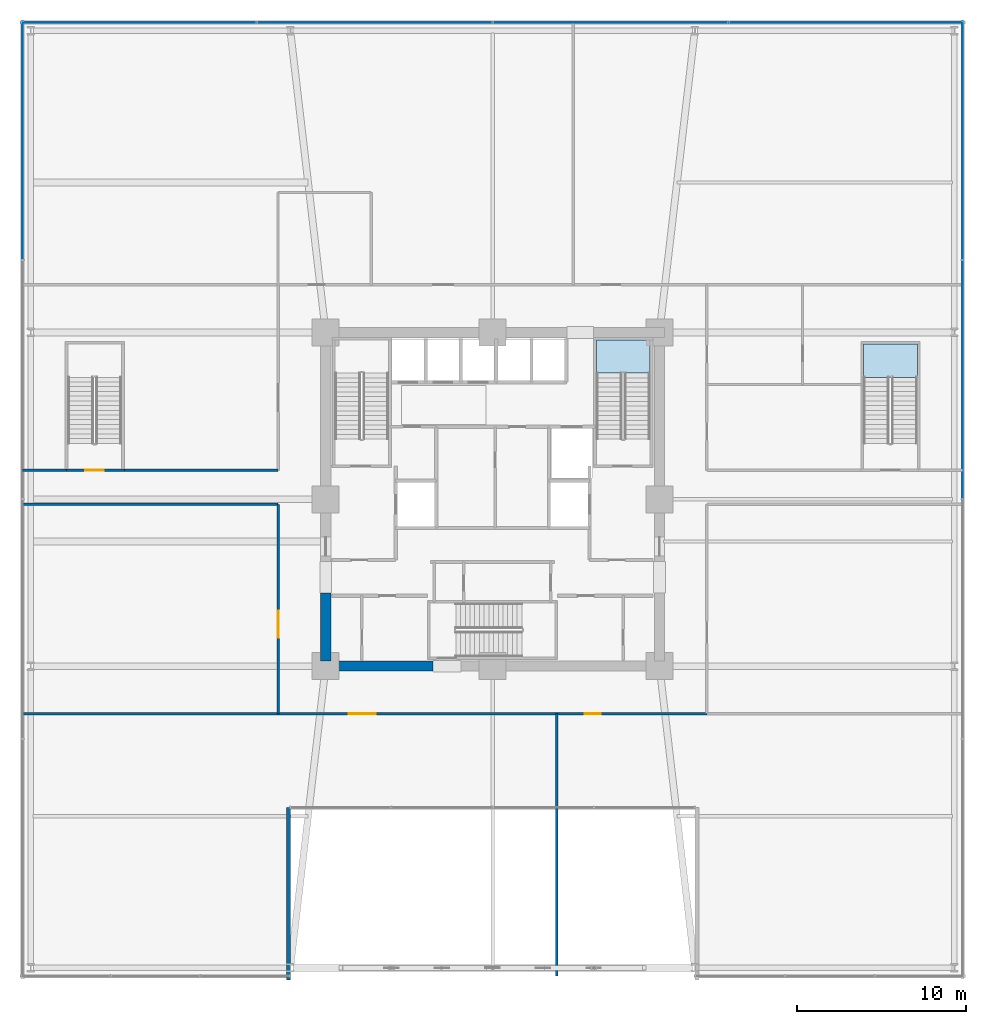
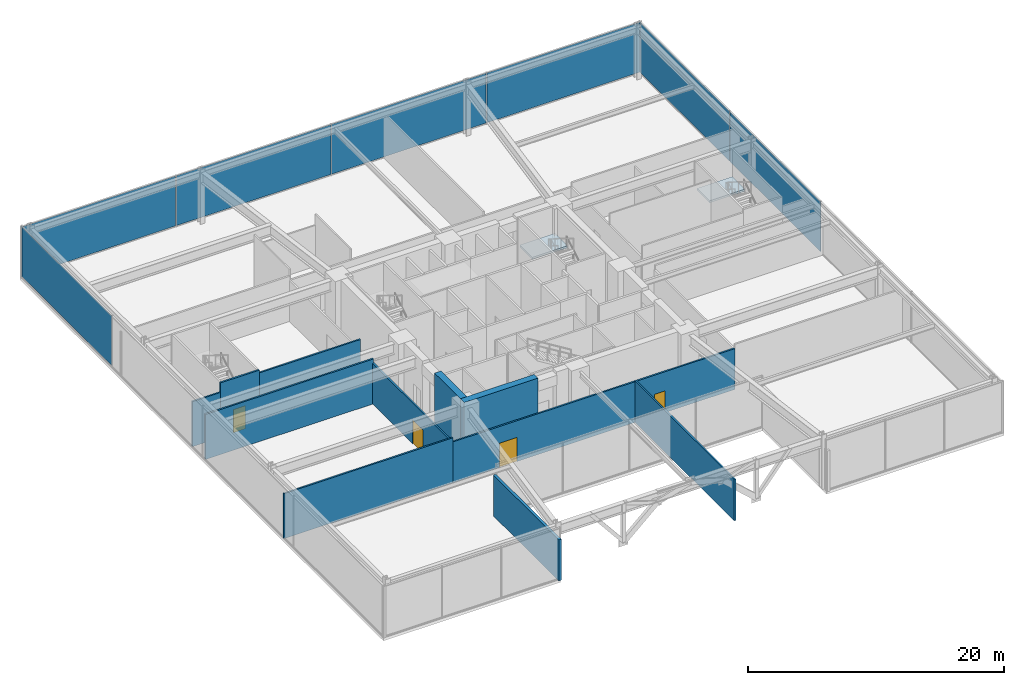
# One storey, part 42 of 49: 11 walls, 7 plates, 4 doors, 2 slabs, 4 openings, 5 elements without a shape of their own.
"""IFC4 building model written with IfcOpenShell, lengths in metres."""

from ifc_helpers import new_model, si_unit, direction, frame, frame_2d, origin, origin_2d, place, context, subcontext, project, spatial, polyline, rectangle, outline, extrude, material, layer, layer_set, type_object, element, fill, aggregate, save


model = new_model("IFC4")

# Units and contexts
model_context = context("Model", 3, precision=1e-05, world=origin(), true_north=direction((0.0, 1.0)))
body_context = subcontext(model_context, "Body", "Model", "MODEL_VIEW")
ifc_project = project(units=[si_unit("LENGTHUNIT", "METRE"), si_unit("AREAUNIT", "SQUARE_METRE"), si_unit("VOLUMEUNIT", "CUBIC_METRE"), si_unit("PLANEANGLEUNIT", "RADIAN"), si_unit("MASSUNIT", "GRAM", prefix="KILO")], contexts=[model_context])

# Site, building, storey
site_placement = place(None, origin())
site = spatial("IfcSite", under=ifc_project, at=site_placement, CompositionType="ELEMENT")
building_placement = place(site_placement, origin())
building = spatial("IfcBuilding", under=site, at=building_placement, Name="Kolvaren Belvedere", CompositionType="ELEMENT")
storey_placement = place(building_placement, frame((0.0, 0.0, 10.0)))
storey = spatial("IfcBuildingStorey", under=building, at=storey_placement, Name="L03", CompositionType="ELEMENT", Elevation=10.0)

# Curtain wall, plates
ifc_material_1 = material(Name="Anodised pale-metal aluminium AA 6063-T6", Category="aluminium")
curtain_wall_type = type_object("IfcCurtainWallType", Name="CW-POD-A", PredefinedType="NOTDEFINED", material=ifc_material_1)
curtain_wall_1_placement = place(storey_placement, origin())
curtain_wall_1 = element("IfcCurtainWall", 1, at=curtain_wall_1_placement, inside=storey, type_object=curtain_wall_type, Name="L03 Unitised Curtain Wall FCW-L03-SEG6", PredefinedType="NOTDEFINED")
ifc_material_2 = material(Name="Low-iron laminated vision glass", Category="glass")
ifc_layer_1 = layer(ifc_material_2, 0.031982421875)
ifc_layer_set_1 = layer_set([ifc_layer_1], Name="Low-iron laminated vision glass")
plate_type = type_object("IfcPlateType", Name="CW-PNL-VIS32", PredefinedType="CURTAIN_PANEL", material=ifc_layer_set_1)
plate_1_placement = place(storey_placement, frame((27.8798828125, 21.300048828125, 0.080078125), z_axis=(0.0, 0.0, 1.0), x_axis=(0.0, -1.0, 0.0)))
plate_1 = element("IfcPlate", 2, at=plate_1_placement, type_object=plate_type, Name="FCW-L03-SEG6 Vision Glazing Panel 1", PredefinedType="CURTAIN_PANEL", context=body_context, shape_type="SweptSolid", body=[
    extrude(rectangle(XDim=14.1201171875, YDim=0.031982421875, at=origin_2d()), origin(), (0.0, 0.0, 1.0), 4.760009765625),
])
plate_2_placement = place(storey_placement, frame((27.8798828125, 7.10009765625, 0.080078125), z_axis=(0.0, 0.0, 1.0), x_axis=(0.0, -1.0, 0.0)))
plate_2 = element("IfcPlate", 3, at=plate_2_placement, type_object=plate_type, Name="FCW-L03-SEG6 Vision Glazing Panel 2", PredefinedType="CURTAIN_PANEL", context=body_context, shape_type="SweptSolid", body=[
    extrude(rectangle(XDim=14.1201171875, YDim=0.031982421875, at=origin_2d()), origin(), (0.0, 0.0, 1.0), 4.760009765625),
])
aggregate(curtain_wall_1, [plate_1, plate_2])

curtain_wall_2_placement = place(storey_placement, origin())
curtain_wall_2 = element("IfcCurtainWall", 4, at=curtain_wall_2_placement, inside=storey, type_object=curtain_wall_type, Name="L03 Unitised Curtain Wall FCW-L03-SEG7", PredefinedType="NOTDEFINED")
plate_3_placement = place(storey_placement, frame((-21.0, 28.280029296875, 0.080078125), z_axis=(0.0, 0.0, 1.0), x_axis=(1.0, 0.0, 0.0)))
plate_3 = element("IfcPlate", 5, at=plate_3_placement, type_object=plate_type, Name="FCW-L03-SEG7 Vision Glazing Panel 1", PredefinedType="CURTAIN_PANEL", context=body_context, shape_type="SweptSolid", body=[
    extrude(rectangle(XDim=13.919921875, YDim=0.031982421875, at=origin_2d()), origin(), (0.0, 0.0, 1.0), 4.760009765625),
])
plate_4_placement = place(storey_placement, frame((-7.0, 28.280029296875, 0.080078125), z_axis=(0.0, 0.0, 1.0), x_axis=(1.0, 0.0, 0.0)))
plate_4 = element("IfcPlate", 6, at=plate_4_placement, type_object=plate_type, Name="FCW-L03-SEG7 Vision Glazing Panel 2", PredefinedType="CURTAIN_PANEL", context=body_context, shape_type="SweptSolid", body=[
    extrude(rectangle(XDim=13.919921875, YDim=0.031982421875, at=origin_2d()), origin(), (0.0, 0.0, 1.0), 4.760009765625),
])
plate_5_placement = place(storey_placement, frame((7.0, 28.280029296875, 0.080078125), z_axis=(0.0, 0.0, 1.0), x_axis=(1.0, 0.0, 0.0)))
plate_5 = element("IfcPlate", 7, at=plate_5_placement, type_object=plate_type, Name="FCW-L03-SEG7 Vision Glazing Panel 3", PredefinedType="CURTAIN_PANEL", context=body_context, shape_type="SweptSolid", body=[
    extrude(rectangle(XDim=13.919921875, YDim=0.031982421875, at=origin_2d()), origin(), (0.0, 0.0, 1.0), 4.760009765625),
])
plate_6_placement = place(storey_placement, frame((21.0, 28.280029296875, 0.080078125), z_axis=(0.0, 0.0, 1.0), x_axis=(1.0, 0.0, 0.0)))
plate_6 = element("IfcPlate", 8, at=plate_6_placement, type_object=plate_type, Name="FCW-L03-SEG7 Vision Glazing Panel 4", PredefinedType="CURTAIN_PANEL", context=body_context, shape_type="SweptSolid", body=[
    extrude(rectangle(XDim=13.919921875, YDim=0.031982421875, at=origin_2d()), origin(), (0.0, 0.0, 1.0), 4.760009765625),
])
aggregate(curtain_wall_2, [plate_3, plate_4, plate_5, plate_6])

# Curtain wall, plate
curtain_wall_3_placement = place(storey_placement, origin())
curtain_wall_3 = element("IfcCurtainWall", 9, at=curtain_wall_3_placement, inside=storey, type_object=curtain_wall_type, Name="L03 Unitised Curtain Wall FCW-L03-SEG8", PredefinedType="NOTDEFINED")
plate_7_placement = place(storey_placement, frame((-27.8798828125, 21.300048828125, 0.080078125), z_axis=(0.0, 0.0, 1.0), x_axis=(0.0, 1.0, 0.0)))
plate_7 = element("IfcPlate", 10, at=plate_7_placement, type_object=plate_type, Name="FCW-L03-SEG8 Vision Glazing Panel 4", PredefinedType="CURTAIN_PANEL", context=body_context, shape_type="SweptSolid", body=[
    extrude(rectangle(XDim=14.1201171875, YDim=0.031982421875, at=origin_2d()), origin(), (0.0, 0.0, 1.0), 4.760009765625),
])
aggregate(curtain_wall_3, [plate_7])

# Stair, slab
ifc_material_3 = material(Name="Concrete C50/60", Category="concrete")
stair_type_1 = type_object("IfcStairType", Name="ST-CORE-1520", PredefinedType="HALF_TURN_STAIR", material=ifc_material_3)
stair_1_placement = place(storey_placement, origin())
stair_1 = element("IfcStair", 11, at=stair_1_placement, inside=storey, type_object=stair_type_1, Name="L03 Protected Exit Stair ST-2", PredefinedType="HALF_TURN_STAIR")
ifc_material_4 = material(Name="Concrete C50/60", Category="concrete")
ifc_layer_2 = layer(ifc_material_4, 0.260009765625)
ifc_layer_set_2 = layer_set([ifc_layer_2], Name="Concrete C50/60")
slab_type = type_object("IfcSlabType", Name="SL-LAND-260", PredefinedType="LANDING", material=ifc_layer_set_2)
slab_1_placement = place(storey_placement, frame((0.0, 0.0, 2.39990234375)))
slab_1 = element("IfcSlab", 12, at=slab_1_placement, type_object=slab_type, Name="ST-2 landing 1", PredefinedType="LANDING", context=body_context, shape_type="SweptSolid", body=[
    extrude(outline(polyline([(9.35009765625, 7.489990234375), (9.35009765625, 9.449951171875), (6.159912109375, 9.449951171875), (6.159912109375, 7.489990234375), (9.35009765625, 7.489990234375)])), origin(), (0.0, 0.0, 1.0), 0.2001953125),
])
aggregate(stair_1, [slab_1])

ifc_material_5 = material(Name="Concrete C50/60", Category="concrete")
stair_type_2 = type_object("IfcStairType", Name="ST-POD-1520", PredefinedType="HALF_TURN_STAIR", material=ifc_material_5)
stair_2_placement = place(storey_placement, origin())
stair_2 = element("IfcStair", 13, at=stair_2_placement, inside=storey, type_object=stair_type_2, Name="L03 Podium Exit Stair ST-P2", PredefinedType="HALF_TURN_STAIR")
slab_2_placement = place(storey_placement, frame((0.0, 0.0, 2.39990234375)))
slab_2 = element("IfcSlab", 14, at=slab_2_placement, type_object=slab_type, Name="ST-P2 landing 1", PredefinedType="LANDING", context=body_context, shape_type="SweptSolid", body=[
    extrude(outline(polyline([(25.199951171875, 7.239990234375), (25.199951171875, 9.199951171875), (22.010009765625, 9.199951171875), (22.010009765625, 7.239990234375), (25.199951171875, 7.239990234375)])), origin(), (0.0, 0.0, 1.0), 0.2001953125),
])
aggregate(stair_2, [slab_2])

# Walls
ifc_material_6 = material(Name="Concrete C60/75", Category="concrete")
ifc_layer_3 = layer(ifc_material_6, 0.60009765625)
ifc_layer_set_3 = layer_set([ifc_layer_3], Name="Concrete C60/75")
wall_type_1 = type_object("IfcWallType", Name="CW-CORE-600", PredefinedType="SHEAR", material=ifc_layer_set_3)
wall_1_placement = place(storey_placement, frame((-3.5400390625, -9.89990234375, 0.0), z_axis=(0.0, 0.0, 1.0), x_axis=(-1.0, 0.0, 0.0)))
element("IfcWall", 15, at=wall_1_placement, inside=storey, type_object=wall_type_1, Name="L03 South Core Shear Wall 2", PredefinedType="SHEAR", context=body_context, shape_type="SweptSolid", body=[
    extrude(rectangle(XDim=6.659912109375, YDim=0.60009765625, at=frame_2d((3.330078125, 0.0))), origin(), (0.0, 0.0, 1.0), 5.199951171875),
])
wall_2_placement = place(storey_placement, frame((-9.89990234375, -9.60009765625, 0.0), z_axis=(0.0, 0.0, 1.0), x_axis=(0.0, 1.0, 0.0)))
element("IfcWall", 16, at=wall_2_placement, inside=storey, type_object=wall_type_1, Name="L03 West Core Shear Wall 1", PredefinedType="SHEAR", context=body_context, shape_type="SweptSolid", body=[
    extrude(rectangle(XDim=4.050048828125, YDim=0.60009765625, at=frame_2d((2.02490234375, 0.0))), origin(), (0.0, 0.0, 1.0), 5.199951171875),
])

# Wall, opening, door
ifc_material_7 = material(Name="Concrete C50/60", Category="concrete")
ifc_layer_4 = layer(ifc_material_7, 0.159912109375)
ifc_layer_set_4 = layer_set([ifc_layer_4], Name="Concrete C50/60")
wall_type_2 = type_object("IfcWallType", Name="CW-STAIR-160", PredefinedType="SHEAR", material=ifc_layer_set_4)
wall_3_placement = place(storey_placement, frame((-25.360107421875, 1.719970703125, 0.0), z_axis=(0.0, 0.0, 1.0), x_axis=(1.0, 0.0, 0.0)))
wall_3 = element("IfcWall", 17, at=wall_3_placement, inside=storey, type_object=wall_type_2, Name="L03 Stair ST-P1 South Shear Wall", PredefinedType="SHEAR", context=body_context, shape_type="SweptSolid", body=[
    extrude(rectangle(XDim=3.510009765625, YDim=0.159912109375, at=frame_2d((1.7548828125, 0.0))), origin(), (0.0, 0.0, 1.0), 5.199951171875),
])
opening_1_placement = place(wall_3_placement, frame((1.199951171875, 0.0, 0.0)))
opening_1 = element("IfcOpeningElement", 18, at=opening_1_placement, cuts=wall_3, Name="Opening D-FD90", PredefinedType="OPENING", context=body_context, shape_type="SweptSolid", body=[
    extrude(rectangle(XDim=1.10009765625, YDim=2.199951171875, at=frame_2d((0.550048828125, 1.10009765625))), frame((0.0, 0.08984375, 0.0), z_axis=(0.0, -1.0, 0.0), x_axis=(1.0, 0.0, 0.0)), (0.0, 0.0, 1.0), 0.179931640625),
])
ifc_material_8 = material(Name="Painted hollow stainless steel", Category="steel")
door_type_1 = type_object("IfcDoorType", Name="DR-FD90-1100", OperationType="NOTDEFINED", PredefinedType="DOOR", material=ifc_material_8)
door_1_placement = place(opening_1_placement, origin())
door_1 = element("IfcDoor", 19, at=door_1_placement, inside=storey, type_object=door_type_1, Name="L03 Podium Stair ST-P1 Exit Door", OperationType="SINGLE_SWING_LEFT", OverallHeight=2.199951171875, OverallWidth=1.10009765625, PredefinedType="DOOR", context=body_context, shape_type="SweptSolid", body=[
    extrude(rectangle(XDim=1.10009765625, YDim=2.199951171875, at=frame_2d((0.550048828125, 1.10009765625))), frame((0.0, 0.02490234375, 0.0), z_axis=(0.0, -1.0, 0.0), x_axis=(1.0, 0.0, 0.0)), (0.0, 0.0, 1.0), 0.050048828125),
])
fill(opening_1, door_1)

# Wall, openings, doors
ifc_material_9 = material(Name="Gypsum fire-rated partition assembly", Category="gypsum")
ifc_layer_5 = layer(ifc_material_9, 0.14990234375)
ifc_layer_set_5 = layer_set([ifc_layer_5], Name="Gypsum fire-rated partition assembly")
wall_type_3 = type_object("IfcWallType", Name="WL-CORR-150", PredefinedType="PARTITIONING", material=ifc_layer_set_5)
wall_4_placement = place(storey_placement, frame((-12.719970703125, -12.719970703125, 0.0), z_axis=(0.0, 0.0, 1.0), x_axis=(1.0, 0.0, 0.0)))
wall_4 = element("IfcWall", 20, at=wall_4_placement, inside=storey, type_object=wall_type_3, Name="L03 South Corridor Wall", PredefinedType="PARTITIONING", context=body_context, shape_type="SweptSolid", body=[
    extrude(rectangle(XDim=25.43994140625, YDim=0.14990234375, at=frame_2d((12.719970703125, 0.0))), origin(), (0.0, 0.0, 1.0), 3.89404296875),
])
opening_2_placement = place(wall_4_placement, frame((4.199951171875, 0.0, 0.0)))
opening_2 = element("IfcOpeningElement", 21, at=opening_2_placement, cuts=wall_4, Name="Opening D-GL16", PredefinedType="OPENING", context=body_context, shape_type="SweptSolid", body=[
    extrude(rectangle(XDim=1.60009765625, YDim=2.300048828125, at=frame_2d((0.800048828125, 1.14990234375))), frame((0.0, 0.0849609375, 0.0), z_axis=(0.0, -1.0, 0.0), x_axis=(1.0, 0.0, 0.0)), (0.0, 0.0, 1.0), 0.169921875),
])
opening_3_placement = place(wall_4_placement, frame((18.199951171875, 0.0, 0.0)))
opening_3 = element("IfcOpeningElement", 22, at=opening_3_placement, cuts=wall_4, Name="Opening D-FD60", PredefinedType="OPENING", context=body_context, shape_type="SweptSolid", body=[
    extrude(rectangle(XDim=0.949951171875, YDim=2.06005859375, at=frame_2d((0.47509765625, 1.030029296875))), frame((0.0, 0.0849609375, 0.0), z_axis=(0.0, -1.0, 0.0), x_axis=(1.0, 0.0, 0.0)), (0.0, 0.0, 1.0), 0.169921875),
])
ifc_material_10 = material(Name="Acoustic white-oak fire door leaf", Category="timber")
door_type_2 = type_object("IfcDoorType", Name="DR-FD60-950", OperationType="NOTDEFINED", PredefinedType="DOOR", material=ifc_material_10)
door_2_placement = place(opening_3_placement, origin())
door_2 = element("IfcDoor", 23, at=door_2_placement, inside=storey, type_object=door_type_2, Name="L03 Banquet Plating & Service Kitchen Door", OperationType="SINGLE_SWING_LEFT", OverallHeight=2.06005859375, OverallWidth=0.949951171875, PredefinedType="DOOR", context=body_context, shape_type="SweptSolid", body=[
    extrude(rectangle(XDim=0.949951171875, YDim=2.06005859375, at=frame_2d((0.47509765625, 1.030029296875))), frame((0.0, 0.02490234375, 0.0), z_axis=(0.0, -1.0, 0.0), x_axis=(1.0, 0.0, 0.0)), (0.0, 0.0, 1.0), 0.050048828125),
])
fill(opening_3, door_2)
ifc_material_11 = material(Name="Anodised pale-metal aluminium & safety glass", Category="aluminium")
door_type_3 = type_object("IfcDoorType", Name="DR-GLAZ-1600", OperationType="DOUBLE_DOOR_SINGLE_SWING", PredefinedType="DOOR", material=ifc_material_11)
door_3_placement = place(opening_2_placement, origin())
door_3 = element("IfcDoor", 24, at=door_3_placement, inside=storey, type_object=door_type_3, Name="L03 Banquet Portal Overlook Foyer Door", OperationType="DOUBLE_DOOR_SINGLE_SWING", OverallHeight=2.300048828125, OverallWidth=1.60009765625, PredefinedType="DOOR", context=body_context, shape_type="SweptSolid", body=[
    extrude(rectangle(XDim=1.60009765625, YDim=2.300048828125, at=frame_2d((0.800048828125, 1.14990234375))), frame((0.0, 0.02490234375, 0.0), z_axis=(0.0, -1.0, 0.0), x_axis=(1.0, 0.0, 0.0)), (0.0, 0.0, 1.0), 0.050048828125),
])
fill(opening_2, door_3)

# Wall, opening, door
wall_5_placement = place(storey_placement, frame((-12.719970703125, -12.719970703125, 0.0), z_axis=(0.0, 0.0, 1.0), x_axis=(0.0, 1.0, 0.0)))
wall_5 = element("IfcWall", 25, at=wall_5_placement, inside=storey, type_object=wall_type_3, Name="L03 West Corridor Wall S", PredefinedType="PARTITIONING", context=body_context, shape_type="SweptSolid", body=[
    extrude(rectangle(XDim=12.419921875, YDim=0.14990234375, at=frame_2d((6.2099609375, 0.0))), origin(), (0.0, 0.0, 1.0), 3.89404296875),
])
opening_4_placement = place(wall_5_placement, frame((4.5, 0.0, 0.0)))
opening_4 = element("IfcOpeningElement", 26, at=opening_4_placement, cuts=wall_5, Name="Opening D-GL16", PredefinedType="OPENING", context=body_context, shape_type="SweptSolid", body=[
    extrude(rectangle(XDim=1.60009765625, YDim=2.300048828125, at=frame_2d((0.800048828125, 1.14990234375))), frame((0.0, 0.0849609375, 0.0), z_axis=(0.0, -1.0, 0.0), x_axis=(1.0, 0.0, 0.0)), (0.0, 0.0, 1.0), 0.169921875),
])
door_4_placement = place(opening_4_placement, origin())
door_4 = element("IfcDoor", 27, at=door_4_placement, inside=storey, type_object=door_type_3, Name="L03 South-West Banquet Pre-Function Lounge Door", OperationType="DOUBLE_DOOR_SINGLE_SWING", OverallHeight=2.300048828125, OverallWidth=1.60009765625, PredefinedType="DOOR", context=body_context, shape_type="SweptSolid", body=[
    extrude(rectangle(XDim=1.60009765625, YDim=2.300048828125, at=frame_2d((0.800048828125, 1.14990234375))), frame((0.0, 0.02490234375, 0.0), z_axis=(0.0, -1.0, 0.0), x_axis=(1.0, 0.0, 0.0)), (0.0, 0.0, 1.0), 0.050048828125),
])
fill(opening_4, door_4)

# Walls
wall_6_placement = place(storey_placement, frame((-27.8798828125, -0.300048828125, 0.0), z_axis=(0.0, 0.0, 1.0), x_axis=(1.0, 0.0, 0.0)))
element("IfcWall", 28, at=wall_6_placement, inside=storey, type_object=wall_type_3, Name="L03 West Stair Spur South Wall", PredefinedType="PARTITIONING", context=body_context, shape_type="SweptSolid", body=[
    extrude(rectangle(XDim=15.159912109375, YDim=0.14990234375, at=frame_2d((7.580078125, 0.0))), origin(), (0.0, 0.0, 1.0), 4.2890625),
])
wall_7_placement = place(storey_placement, frame((-27.8798828125, 1.719970703125, 0.0), z_axis=(0.0, 0.0, 1.0), x_axis=(1.0, 0.0, 0.0)))
element("IfcWall", 29, at=wall_7_placement, inside=storey, type_object=wall_type_3, Name="L03 West Stair Spur End Wall", PredefinedType="PARTITIONING", context=body_context, shape_type="SweptSolid", body=[
    extrude(rectangle(XDim=2.599853515625, YDim=0.14990234375, at=frame_2d((1.2998046875, 0.0))), origin(), (0.0, 0.0, 1.0), 4.2890625),
])
wall_8_placement = place(storey_placement, frame((-21.929931640625, 1.719970703125, 0.0), z_axis=(0.0, 0.0, 1.0), x_axis=(1.0, 0.0, 0.0)))
element("IfcWall", 30, at=wall_8_placement, inside=storey, type_object=wall_type_3, Name="L03 West Stair Spur North Wall", PredefinedType="PARTITIONING", context=body_context, shape_type="SweptSolid", body=[
    extrude(rectangle(XDim=9.2099609375, YDim=0.14990234375, at=frame_2d((4.60498046875, 0.0))), origin(), (0.0, 0.0, 1.0), 4.919921875),
])
wall_9_placement = place(storey_placement, frame((-27.97998046875, -12.719970703125, 0.0), z_axis=(0.0, 0.0, 1.0), x_axis=(1.0, 0.0, 0.0)))
element("IfcWall", 31, at=wall_9_placement, inside=storey, type_object=wall_type_3, Name="L03 Sector Wall PW-L03-QSW", PredefinedType="PARTITIONING", context=body_context, shape_type="SweptSolid", body=[
    extrude(rectangle(XDim=15.260009765625, YDim=0.14990234375, at=frame_2d((7.6298828125, 0.0))), origin(), (0.0, 0.0, 1.0), 4.2890625),
])
ifc_material_12 = material(Name="Insulated pale-metal facade wall assembly", Category="aluminium")
ifc_layer_6 = layer(ifc_material_12, 0.239990234375)
ifc_layer_set_6 = layer_set([ifc_layer_6], Name="Insulated pale-metal facade wall assembly")
wall_type_4 = type_object("IfcWallType", Name="WL-EXT-240", PredefinedType="STANDARD", material=ifc_layer_set_6)
wall_10_placement = place(storey_placement, frame((-12.1201171875, -18.280029296875, 0.0), z_axis=(0.0, 0.0, 1.0), x_axis=(0.0, -1.0, 0.0)))
element("IfcWall", 32, at=wall_10_placement, inside=storey, type_object=wall_type_4, Name="L03 Serrated Corner Facade Wall 2", PredefinedType="STANDARD", context=body_context, shape_type="SweptSolid", body=[
    extrude(rectangle(XDim=10.239990234375, YDim=0.239990234375, at=frame_2d((5.1201171875, 0.0))), origin(), (0.0, 0.0, 1.0), 3.904052734375),
])
ifc_material_13 = material(Name="Gypsum acoustic partition assembly", Category="gypsum")
ifc_layer_7 = layer(ifc_material_13, 0.14990234375)
ifc_layer_set_7 = layer_set([ifc_layer_7], Name="Gypsum acoustic partition assembly")
wall_type_5 = type_object("IfcWallType", Name="WL-PART-150", PredefinedType="PARTITIONING", material=ifc_layer_set_7)
wall_11_placement = place(storey_placement, frame((3.800048828125, -28.280029296875, 0.0), z_axis=(0.0, 0.0, 1.0), x_axis=(0.0, 1.0, 0.0)))
element("IfcWall", 33, at=wall_11_placement, inside=storey, type_object=wall_type_5, Name="L03 Foyer Pantry Wall", PredefinedType="PARTITIONING", context=body_context, shape_type="SweptSolid", body=[
    extrude(rectangle(XDim=15.56005859375, YDim=0.14990234375, at=frame_2d((7.780029296875, 0.0))), origin(), (0.0, 0.0, 1.0), 3.95703125),
])

save(model, "model.ifc")
